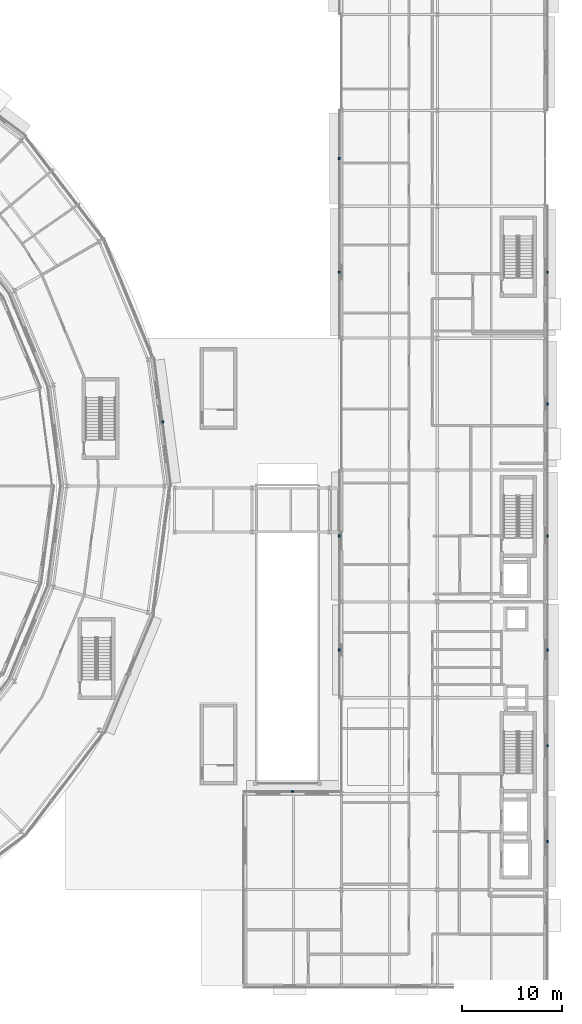
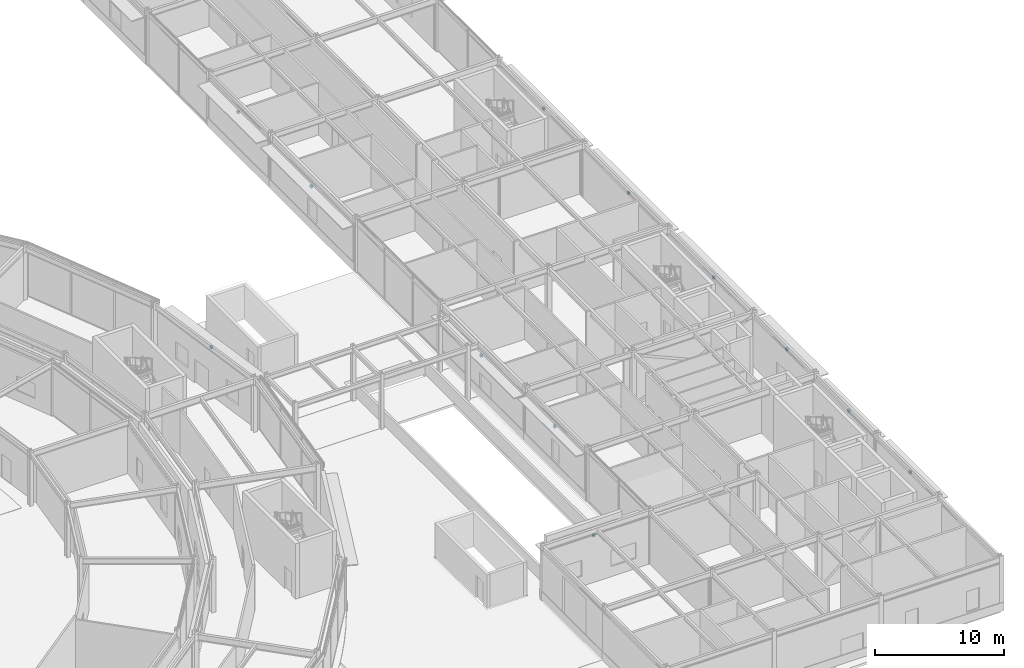
# One storey, part 139 of 168: 12 discrete accessories.
"""IFC4 building model written with IfcOpenShell, lengths in metres."""

from ifc_helpers import new_model, si_unit, direction, frame, origin, origin_2d, place, context, subcontext, project, spatial, rectangle, extrude, material, layer, layer_set, type_object, element, save


model = new_model("IFC4")

# Units and contexts
model_context = context("Model", 3, precision=1e-05, world=origin(), true_north=direction((0.0, 1.0)))
body_context = subcontext(model_context, "Body", "Model", "MODEL_VIEW")
ifc_project = project(units=[si_unit("LENGTHUNIT", "METRE"), si_unit("AREAUNIT", "SQUARE_METRE"), si_unit("VOLUMEUNIT", "CUBIC_METRE"), si_unit("PLANEANGLEUNIT", "RADIAN"), si_unit("MASSUNIT", "GRAM", prefix="KILO")], contexts=[model_context])

# Site, building, storey
site_placement = place(None, origin())
site = spatial("IfcSite", under=ifc_project, at=site_placement, CompositionType="ELEMENT")
building_placement = place(site_placement, origin())
building = spatial("IfcBuilding", under=site, at=building_placement, Name="Almandine Court Research Institute", CompositionType="ELEMENT")
storey_placement = place(building_placement, origin())
storey = spatial("IfcBuildingStorey", under=building, at=storey_placement, Name="L00", CompositionType="ELEMENT", Elevation=0.0)

# Discrete accessories
ifc_material = material(Name="Galvanised Steel Facade Outrigger Bracket", Category="steel")
ifc_layer = layer(ifc_material, 0.219970703125)
ifc_layer_set = layer_set([ifc_layer], Name="Galvanised Steel Facade Outrigger Bracket")
discrete_accessory_type = type_object("IfcDiscreteAccessoryType", Name="Acc-CHJ-BRACKET", PredefinedType="BRACKET", material=ifc_layer_set)
for number, where, z_axis, x_axis, name in (
    (1, (148.712890625, 25.429931640625, 4.03515625), (0.0, 0.0, 1.0), (1.0, 0.0, 0.0), "L00 Chhajja Outrigger Bracket 58"),
    (2, (153.3701171875, 39.60009765625, 4.1630859375), (0.0, 0.0, 1.0), (0.0, 1.0, 0.0), "L00 Chhajja Outrigger Bracket 59"),
    (3, (153.3701171875, 51.0, 3.96484375), (0.0, 0.0, 1.0), (0.0, 1.0, 0.0), "L00 Chhajja Outrigger Bracket 60"),
    (4, (153.3701171875, 77.39990234375, 4.01220703125), (0.0, 0.0, 1.0), (0.0, 1.0, 0.0), "L00 Chhajja Outrigger Bracket 61"),
    (5, (153.3701171875, 88.800048828125, 4.1630859375), (0.0, 0.0, 1.0), (0.0, 1.0, 0.0), "L00 Chhajja Outrigger Bracket 62"),
    (6, (174.22998046875, 77.39990234375, 4.0859375), (0.0, 0.0, 1.0), (0.0, -1.0, 0.0), "L00 Chhajja Outrigger Bracket 70"),
    (7, (174.22998046875, 64.199951171875, 4.0859375), (0.0, 0.0, 1.0), (0.0, -1.0, 0.0), "L00 Chhajja Outrigger Bracket 71"),
    (8, (174.22998046875, 51.0, 4.0859375), (0.0, 0.0, 1.0), (0.0, -1.0, 0.0), "L00 Chhajja Outrigger Bracket 72"),
    (9, (174.22998046875, 39.60009765625, 4.15380859375), (0.0, 0.0, 1.0), (0.0, -1.0, 0.0), "L00 Chhajja Outrigger Bracket 73"),
    (10, (174.22998046875, 30.0, 4.15380859375), (0.0, 0.0, 1.0), (0.0, -1.0, 0.0), "L00 Chhajja Outrigger Bracket 74"),
    (11, (174.22998046875, 20.39990234375, 4.15380859375), (0.0, 0.0, 1.0), (0.0, -1.0, 0.0), "L00 Chhajja Outrigger Bracket 75"),
    (12, (135.72802734375, 62.4150390625, 4.0029296875), (0.0, 0.0, 1.0), (0.13052619222, -0.991444861374, 0.0), "L00 Chhajja Outrigger Bracket 177"),
):
    element("IfcDiscreteAccessory", number, at=place(storey_placement, frame(where, z_axis=z_axis, x_axis=x_axis)), inside=storey, type_object=discrete_accessory_type, Name=name, PredefinedType="BRACKET", context=body_context, shape_type="SweptSolid", body=[
        extrude(rectangle(XDim=0.239990234375, YDim=0.179931640625, at=origin_2d()), origin(), (0.0, 0.0, 1.0), 0.219970703125),
    ])

save(model, "model.ifc")
